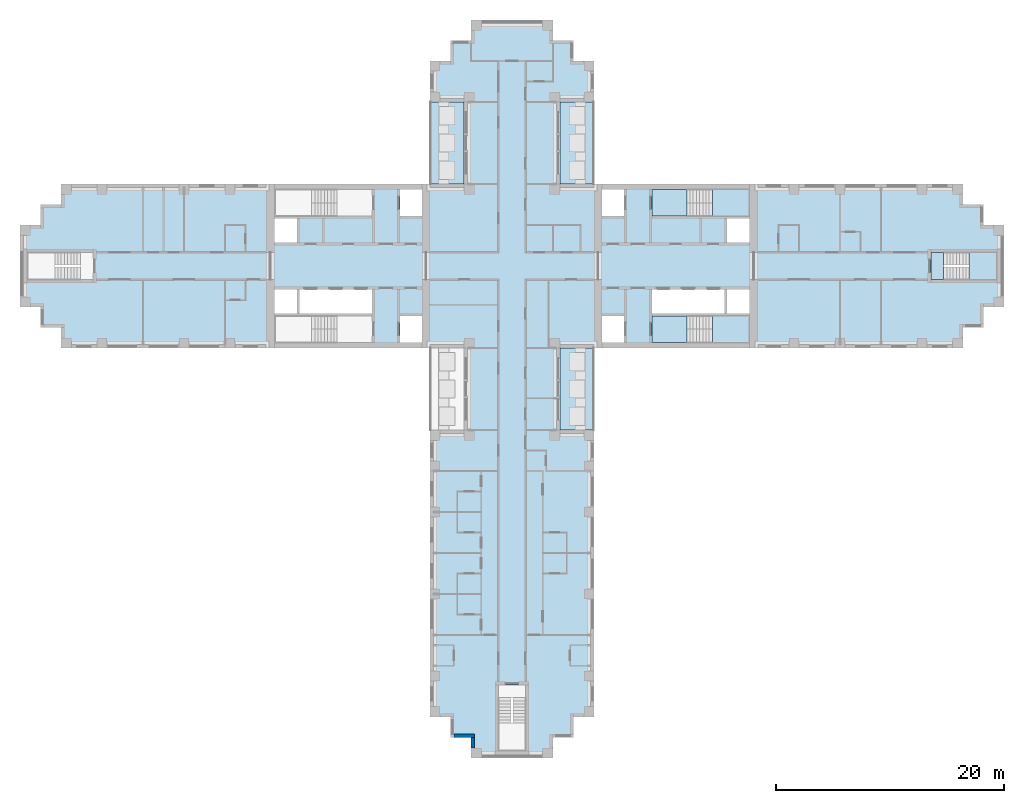
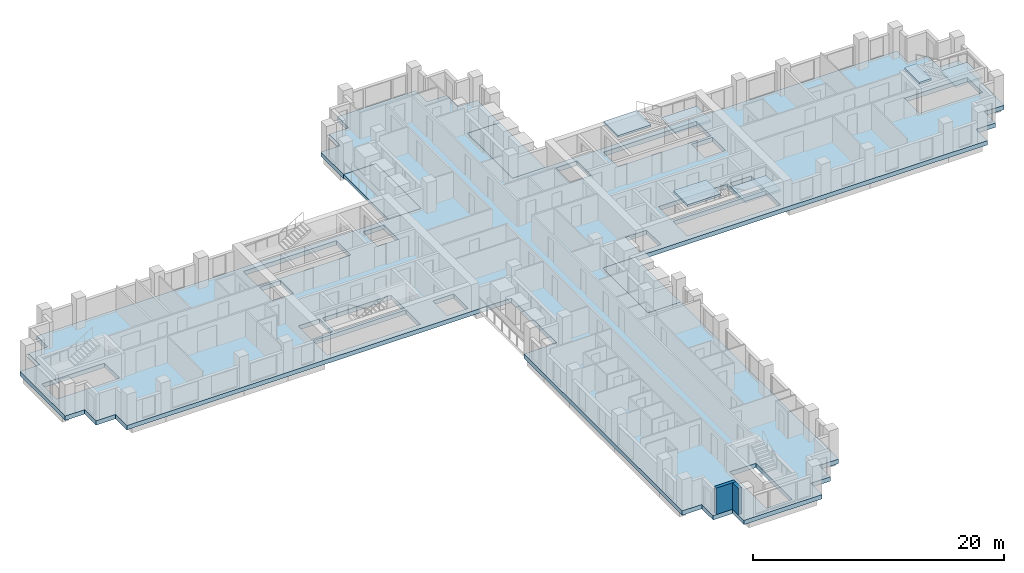
# One storey, part 2 of 13: 10 slabs, 2 walls, 3 elements without a shape of their own.
"""IFC4 building model written with IfcOpenShell, lengths in metres."""

from ifc_helpers import new_model, si_unit, direction, frame, frame_2d, origin, place, context, subcontext, project, spatial, polyline, rectangle, outline, extrude, material, layer, layer_set, type_object, element, aggregate, save


model = new_model("IFC4")

# Units and contexts
model_context = context("Model", 3, precision=1e-05, world=origin(), true_north=direction((0.0, 1.0)))
body_context = subcontext(model_context, "Body", "Model", "MODEL_VIEW")
ifc_project = project(units=[si_unit("LENGTHUNIT", "METRE"), si_unit("AREAUNIT", "SQUARE_METRE"), si_unit("VOLUMEUNIT", "CUBIC_METRE"), si_unit("PLANEANGLEUNIT", "RADIAN"), si_unit("MASSUNIT", "GRAM", prefix="KILO")], contexts=[model_context])

# Site, building, storey
site_placement = place(None, origin())
site = spatial("IfcSite", under=ifc_project, at=site_placement, CompositionType="ELEMENT")
building_placement = place(site_placement, origin())
building = spatial("IfcBuilding", under=site, at=building_placement, Name="Fustian Cross Tower", CompositionType="ELEMENT")
storey_placement = place(building_placement, frame((0.0, 0.0, 87.89990234375)))
storey = spatial("IfcBuildingStorey", under=building, at=storey_placement, Name="L27", CompositionType="ELEMENT", Elevation=87.89990234375)

# Slabs
ifc_material_1 = material(Name="Concrete C40/50", Category="concrete")
ifc_layer_1 = layer(ifc_material_1, 0.300048828125)
ifc_layer_set_1 = layer_set([ifc_layer_1], Name="Concrete C40/50")
slab_type_1 = type_object("IfcSlabType", Name="BS1 BALCONY SLAB 300", PredefinedType="FLOOR", material=ifc_layer_set_1)
slab_1_placement = place(storey_placement, frame((0.0, 0.0, -0.2998046875)))
element("IfcSlab", 1, at=slab_1_placement, inside=storey, type_object=slab_type_1, Name="Balcony slab", PredefinedType="FLOOR", context=body_context, shape_type="SweptSolid", body=[
    extrude(outline(polyline([(4.199951171875, 7.199951171875), (7.199951171875, 7.199951171875), (7.199951171875, 14.39990234375), (4.199951171875, 14.39990234375), (4.199951171875, 7.199951171875)])), origin(), (0.0, 0.0, 1.0), 0.2998046875),
])
slab_2_placement = place(storey_placement, frame((0.0, 0.0, -0.2998046875)))
element("IfcSlab", 2, at=slab_2_placement, inside=storey, type_object=slab_type_1, Name="Balcony slab", PredefinedType="FLOOR", context=body_context, shape_type="SweptSolid", body=[
    extrude(outline(polyline([(-7.199951171875, 7.199951171875), (-4.199951171875, 7.199951171875), (-4.199951171875, 14.39990234375), (-7.199951171875, 14.39990234375), (-7.199951171875, 7.199951171875)])), origin(), (0.0, 0.0, 1.0), 0.2998046875),
])
slab_3_placement = place(storey_placement, frame((0.0, 0.0, -0.2998046875)))
element("IfcSlab", 3, at=slab_3_placement, inside=storey, type_object=slab_type_1, Name="Balcony slab", PredefinedType="FLOOR", context=body_context, shape_type="SweptSolid", body=[
    extrude(outline(polyline([(4.199951171875, -14.39990234375), (7.199951171875, -14.39990234375), (7.199951171875, -7.199951171875), (4.199951171875, -7.199951171875), (4.199951171875, -14.39990234375)])), origin(), (0.0, 0.0, 1.0), 0.2998046875),
])
ifc_material_2 = material(Name="Concrete C40/50", Category="concrete")
ifc_layer_2 = layer(ifc_material_2, 0.425048828125)
ifc_layer_set_2 = layer_set([ifc_layer_2], Name="Concrete C40/50")
slab_type_2 = type_object("IfcSlabType", Name="FLAT SLAB 425", PredefinedType="FLOOR", material=ifc_layer_set_2)
slab_4_placement = place(storey_placement, frame((0.0, 0.0, -0.4248046875)))
element("IfcSlab", 4, at=slab_4_placement, inside=storey, type_object=slab_type_2, Name="FLOOR SLAB L27-1", PredefinedType="FLOOR", context=body_context, shape_type="SweptSolid", body=[
    extrude(outline(polyline([(-4.199951171875, -7.199951171875), (-39.60009765625, -7.199951171875), (-39.60009765625, -5.39990234375), (-41.39990234375, -5.39990234375), (-41.39990234375, -3.60009765625), (-43.199951171875, -3.60009765625), (-43.199951171875, 3.60009765625), (-41.39990234375, 3.60009765625), (-41.39990234375, 5.39990234375), (-39.60009765625, 5.39990234375), (-39.60009765625, 7.199951171875), (-4.199951171875, 7.199951171875), (-4.199951171875, 14.39990234375), (-7.199951171875, 14.39990234375), (-7.199951171875, 18.0), (-5.39990234375, 18.0), (-5.39990234375, 19.800048828125), (-3.60009765625, 19.800048828125), (-3.60009765625, 21.60009765625), (3.60009765625, 21.60009765625), (3.60009765625, 19.800048828125), (5.39990234375, 19.800048828125), (5.39990234375, 18.0), (7.199951171875, 18.0), (7.199951171875, 14.39990234375), (4.199951171875, 14.39990234375), (4.199951171875, 7.199951171875), (39.60009765625, 7.199951171875), (39.60009765625, 5.39990234375), (41.39990234375, 5.39990234375), (41.39990234375, 3.60009765625), (43.199951171875, 3.60009765625), (43.199951171875, -3.60009765625), (41.39990234375, -3.60009765625), (41.39990234375, -5.39990234375), (39.60009765625, -5.39990234375), (39.60009765625, -7.199951171875), (4.199951171875, -7.199951171875), (4.199951171875, -14.39990234375), (7.199951171875, -14.39990234375), (7.199951171875, -39.60009765625), (5.39990234375, -39.60009765625), (5.39990234375, -41.39990234375), (3.60009765625, -41.39990234375), (3.60009765625, -43.199951171875), (-3.60009765625, -43.199951171875), (-3.60009765625, -41.39990234375), (-5.39990234375, -41.39990234375), (-5.39990234375, -39.60009765625), (-7.199951171875, -39.60009765625), (-7.199951171875, -14.39990234375), (-4.199951171875, -14.39990234375), (-4.199951171875, -7.199951171875)]), holes=[polyline([(20.85009765625, -2.050048828125), (18.89990234375, -2.050048828125), (18.89990234375, -4.14990234375), (20.85009765625, -4.14990234375), (20.85009765625, -2.050048828125)]), polyline([(20.85009765625, 2.050048828125), (20.85009765625, 4.14990234375), (18.89990234375, 4.14990234375), (18.89990234375, 2.050048828125), (20.85009765625, 2.050048828125)]), polyline([(7.89990234375, 4.39990234375), (9.85009765625, 4.39990234375), (9.85009765625, 6.699951171875), (7.89990234375, 6.699951171875), (7.89990234375, 4.39990234375)]), polyline([(7.89990234375, -4.39990234375), (7.89990234375, -6.699951171875), (9.85009765625, -6.699951171875), (9.85009765625, -4.39990234375), (7.89990234375, -4.39990234375)]), polyline([(-18.89990234375, -2.050048828125), (-20.85009765625, -2.050048828125), (-20.85009765625, -4.14990234375), (-18.89990234375, -4.14990234375), (-18.89990234375, -2.050048828125)]), polyline([(-18.89990234375, 2.050048828125), (-18.89990234375, 4.14990234375), (-20.85009765625, 4.14990234375), (-20.85009765625, 2.050048828125), (-18.89990234375, 2.050048828125)]), polyline([(-9.85009765625, 4.39990234375), (-7.89990234375, 4.39990234375), (-7.89990234375, 6.699951171875), (-9.85009765625, 6.699951171875), (-9.85009765625, 4.39990234375)]), polyline([(-9.85009765625, -4.39990234375), (-9.85009765625, -6.699951171875), (-7.89990234375, -6.699951171875), (-7.89990234375, -4.39990234375), (-9.85009765625, -4.39990234375)]), polyline([(18.64990234375, -2.050048828125), (12.300048828125, -2.050048828125), (12.300048828125, -4.14990234375), (18.64990234375, -4.14990234375), (18.64990234375, -2.050048828125)]), polyline([(-12.300048828125, -4.14990234375), (-12.300048828125, -2.050048828125), (-18.64990234375, -2.050048828125), (-18.64990234375, -4.14990234375), (-12.300048828125, -4.14990234375)]), polyline([(12.300048828125, 4.39990234375), (20.85009765625, 4.39990234375), (20.85009765625, 6.699951171875), (12.300048828125, 6.699951171875), (12.300048828125, 4.39990234375)]), polyline([(12.300048828125, -4.39990234375), (12.300048828125, -6.699951171875), (20.85009765625, -6.699951171875), (20.85009765625, -4.39990234375), (12.300048828125, -4.39990234375)]), polyline([(-12.300048828125, 6.699951171875), (-20.85009765625, 6.699951171875), (-20.85009765625, 4.39990234375), (-12.300048828125, 4.39990234375), (-12.300048828125, 6.699951171875)]), polyline([(-12.300048828125, -6.699951171875), (-12.300048828125, -4.39990234375), (-20.85009765625, -4.39990234375), (-20.85009765625, -6.699951171875), (-12.300048828125, -6.699951171875)]), polyline([(-1.199951171875, -42.60009765625), (1.199951171875, -42.60009765625), (1.199951171875, -36.800048828125), (-1.199951171875, -36.800048828125), (-1.199951171875, -42.60009765625)]), polyline([(36.800048828125, 1.199951171875), (36.800048828125, -1.199951171875), (42.60009765625, -1.199951171875), (42.60009765625, 1.199951171875), (36.800048828125, 1.199951171875)]), polyline([(-36.800048828125, 1.199951171875), (-42.60009765625, 1.199951171875), (-42.60009765625, -1.199951171875), (-36.800048828125, -1.199951171875), (-36.800048828125, 1.199951171875)])]), origin(), (0.0, 0.0, 1.0), 0.4248046875),
])

# Stair, slabs
ifc_material_3 = material(Name="Concrete C50/60", Category="concrete")
stair_type_1 = type_object("IfcStairType", Name="STAIR 1150 HALF TURN", PredefinedType="HALF_TURN_STAIR", material=ifc_material_3)
stair_1_placement = place(storey_placement, origin())
stair_1 = element("IfcStair", 5, at=stair_1_placement, inside=storey, type_object=stair_type_1, Name="Stair ST1", PredefinedType="HALF_TURN_STAIR")
ifc_material_4 = material(Name="Concrete C50/60", Category="concrete")
ifc_layer_3 = layer(ifc_material_4, 0.199951171875)
ifc_layer_set_3 = layer_set([ifc_layer_3], Name="Concrete C50/60")
slab_type_3 = type_object("IfcSlabType", Name="STAIR LANDING", PredefinedType="LANDING", material=ifc_layer_set_3)
slab_5_placement = place(storey_placement, frame((0.0, 0.0, 1.300048828125)))
slab_5 = element("IfcSlab", 6, at=slab_5_placement, type_object=slab_type_3, Name="ST1 landing 1", PredefinedType="LANDING", context=body_context, shape_type="SweptSolid", body=[
    extrude(outline(polyline([(17.590087890625, 4.39990234375), (20.85009765625, 4.39990234375), (20.85009765625, 6.699951171875), (17.590087890625, 6.699951171875), (17.590087890625, 4.39990234375)])), origin(), (0.0, 0.0, 1.0), 0.199951171875),
])
slab_6_placement = place(storey_placement, frame((0.0, 0.0, 2.800048828125)))
slab_6 = element("IfcSlab", 7, at=slab_6_placement, type_object=slab_type_3, Name="ST1 landing 2", PredefinedType="LANDING", context=body_context, shape_type="SweptSolid", body=[
    extrude(outline(polyline([(12.300048828125, 4.39990234375), (15.35009765625, 4.39990234375), (15.35009765625, 6.699951171875), (12.300048828125, 6.699951171875), (12.300048828125, 4.39990234375)])), origin(), (0.0, 0.0, 1.0), 0.199951171875),
])
aggregate(stair_1, [slab_5, slab_6])

stair_2_placement = place(storey_placement, origin())
stair_2 = element("IfcStair", 8, at=stair_2_placement, inside=storey, type_object=stair_type_1, Name="Stair ST2", PredefinedType="HALF_TURN_STAIR")
slab_7_placement = place(storey_placement, frame((0.0, 0.0, 1.300048828125)))
slab_7 = element("IfcSlab", 9, at=slab_7_placement, type_object=slab_type_3, Name="ST2 landing 1", PredefinedType="LANDING", context=body_context, shape_type="SweptSolid", body=[
    extrude(outline(polyline([(17.590087890625, -4.39990234375), (20.85009765625, -4.39990234375), (20.85009765625, -6.699951171875), (17.590087890625, -6.699951171875), (17.590087890625, -4.39990234375)])), origin(), (0.0, 0.0, 1.0), 0.199951171875),
])
slab_8_placement = place(storey_placement, frame((0.0, 0.0, 2.800048828125)))
slab_8 = element("IfcSlab", 10, at=slab_8_placement, type_object=slab_type_3, Name="ST2 landing 2", PredefinedType="LANDING", context=body_context, shape_type="SweptSolid", body=[
    extrude(outline(polyline([(12.300048828125, -4.39990234375), (15.35009765625, -4.39990234375), (15.35009765625, -6.699951171875), (12.300048828125, -6.699951171875), (12.300048828125, -4.39990234375)])), origin(), (0.0, 0.0, 1.0), 0.199951171875),
])
aggregate(stair_2, [slab_7, slab_8])

ifc_material_5 = material(Name="Concrete C50/60", Category="concrete")
stair_type_2 = type_object("IfcStairType", Name="STAIR 1100 HALF TURN", PredefinedType="HALF_TURN_STAIR", material=ifc_material_5)
stair_3_placement = place(storey_placement, origin())
stair_3 = element("IfcStair", 11, at=stair_3_placement, inside=storey, type_object=stair_type_2, Name="Stair ST8", PredefinedType="HALF_TURN_STAIR")
slab_9_placement = place(storey_placement, frame((0.0, 0.0, 1.300048828125)))
slab_9 = element("IfcSlab", 12, at=slab_9_placement, type_object=slab_type_3, Name="ST8 landing 1", PredefinedType="LANDING", context=body_context, shape_type="SweptSolid", body=[
    extrude(outline(polyline([(40.139892578125, -1.199951171875), (42.60009765625, -1.199951171875), (42.60009765625, 1.199951171875), (40.139892578125, 1.199951171875), (40.139892578125, -1.199951171875)])), origin(), (0.0, 0.0, 1.0), 0.199951171875),
])
slab_10_placement = place(storey_placement, frame((0.0, 0.0, 2.800048828125)))
slab_10 = element("IfcSlab", 13, at=slab_10_placement, type_object=slab_type_3, Name="ST8 landing 2", PredefinedType="LANDING", context=body_context, shape_type="SweptSolid", body=[
    extrude(outline(polyline([(36.800048828125, -1.199951171875), (37.89990234375, -1.199951171875), (37.89990234375, 1.199951171875), (36.800048828125, 1.199951171875), (36.800048828125, -1.199951171875)])), origin(), (0.0, 0.0, 1.0), 0.199951171875),
])
aggregate(stair_3, [slab_9, slab_10])

# Walls
ifc_material_6 = material(Name="Dark aluminium cladding on insulated backing wall", Category="aluminium")
ifc_layer_4 = layer(ifc_material_6, 0.300048828125)
ifc_layer_set_4 = layer_set([ifc_layer_4], Name="Dark aluminium cladding on insulated backing wall")
wall_type = type_object("IfcWallType", Name="XW1 EXTERNAL WALL 300", PredefinedType="SOLIDWALL", material=ifc_layer_set_4)
wall_1_placement = place(storey_placement, frame((-5.10009765625, -41.25, 0.0), z_axis=(0.0, 0.0, 1.0), x_axis=(1.0, 0.0, 0.0)))
element("IfcWall", 14, at=wall_1_placement, inside=storey, type_object=wall_type, Name="External wall", PredefinedType="SOLIDWALL", context=body_context, shape_type="SweptSolid", body=[
    extrude(rectangle(XDim=1.800048828125, YDim=0.300048828125, at=frame_2d((0.89990234375, 0.0))), origin(), (0.0, 0.0, 1.0), 2.5751953125),
])
wall_2_placement = place(storey_placement, frame((-3.449951171875, -41.39990234375, 0.0), z_axis=(0.0, 0.0, 1.0), x_axis=(0.0, -1.0, 0.0)))
element("IfcWall", 15, at=wall_2_placement, inside=storey, type_object=wall_type, Name="External wall", PredefinedType="SOLIDWALL", context=body_context, shape_type="SweptSolid", body=[
    extrude(rectangle(XDim=0.900146484375, YDim=0.300048828125, at=frame_2d((0.4501953125, 0.0))), origin(), (0.0, 0.0, 1.0), 2.5751953125),
])

save(model, "model.ifc")
